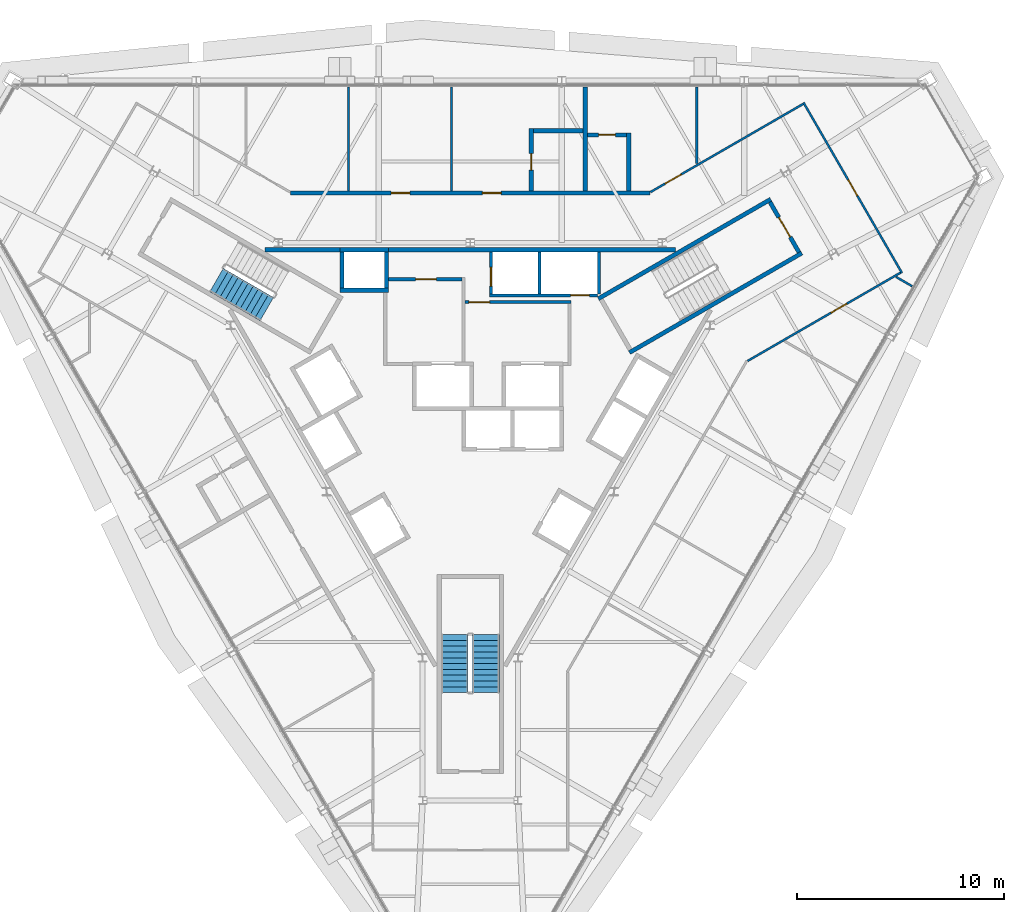
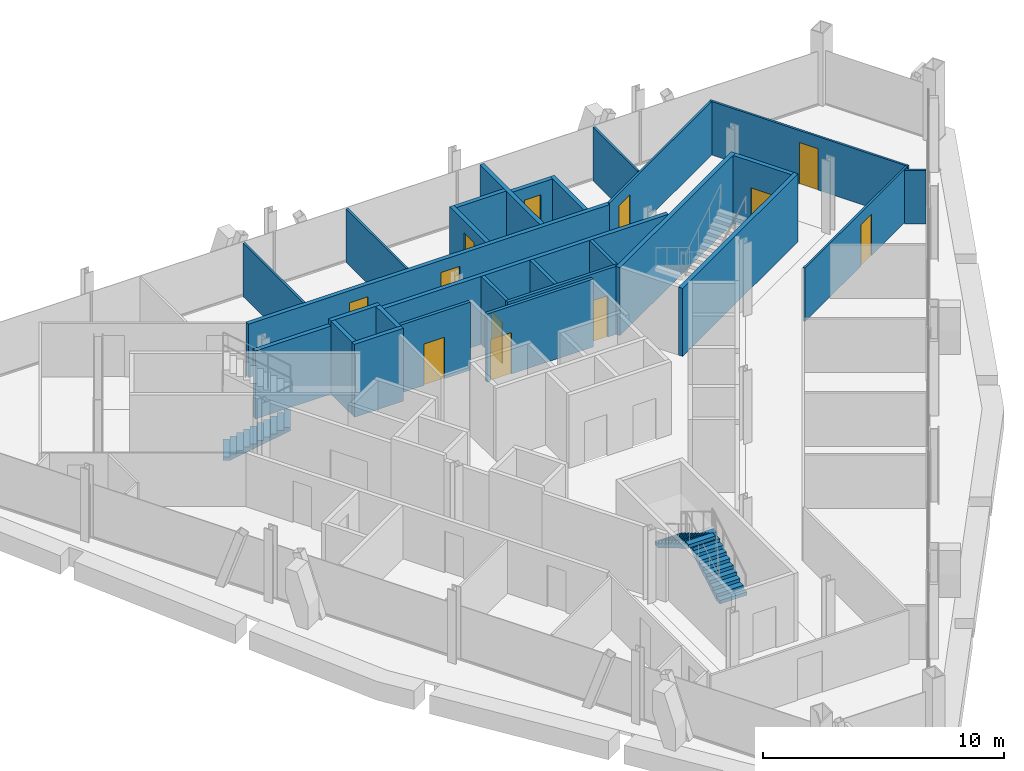
# One storey, part 11 of 14: 28 walls, 12 doors, 3 stair flights, 12 openings, 2 elements without a shape of their own.
"""IFC4 building model written with IfcOpenShell, lengths in metres."""

import ifcopenshell
import ifcopenshell.guid

model = None  # the IFC model being written
_history = None  # IfcOwnerHistory: only IFC2X3 demands one
_inside = {}  # id of a spatial element -> (the spatial element, [elements in it])
_under = {}  # id of a project, library or spatial element -> (it, [spatial elements below it])
_declared = {}  # id of a project -> (the project, [libraries it declares])
_typed = {}  # id of a type object -> (the type object, [elements of that type])
_made_of = {}  # id of a material, layer set ... -> (it, [elements and type objects made of it])


def new_model(schema):
    """Start an empty IFC model of exactly this schema.

    Asked for "IFC4X3", IfcOpenShell would pick the latest addendum, in which some entities
    have other attributes; the version numbers below select the first issue.
    IFC2X3 requires an IfcOwnerHistory on every rooted entity: one is made here for all.
    """
    global model, _history
    if schema == "IFC4X3":
        model = ifcopenshell.file(schema_version=(4, 3, 0, 0))
    else:
        model = ifcopenshell.file(schema=schema)
    _inside.clear()
    _under.clear()
    _declared.clear()
    _typed.clear()
    _made_of.clear()
    _history = None
    if model.schema == "IFC2X3":
        org = make("IfcOrganization", Name="unknown")
        user = make(
            "IfcPersonAndOrganization",
            ThePerson=make("IfcPerson", FamilyName="unknown"),
            TheOrganization=org,
        )
        app = make(
            "IfcApplication",
            ApplicationDeveloper=org,
            Version="unknown",
            ApplicationFullName="unknown",
            ApplicationIdentifier="unknown",
        )
        _history = make(
            "IfcOwnerHistory",
            OwningUser=user,
            OwningApplication=app,
            ChangeAction="ADDED",
            CreationDate=0,
        )
    return model


def make(cls, **values):
    """One entity of the class cls with the attributes given. An attribute that is None is left unset."""
    return model.create_entity(
        cls, **{name: value for name, value in values.items() if value is not None}
    )


def rooted(cls, **values):
    """An entity with a GlobalId (a new one), such as an element, a storey or a relation."""
    return make(cls, GlobalId=ifcopenshell.guid.new(), OwnerHistory=_history, **values)


def si_unit(unit_type, name, prefix=None):
    """IfcSIUnit, for example si_unit("LENGTHUNIT", "METRE", prefix="MILLI")."""
    return make("IfcSIUnit", UnitType=unit_type, Prefix=prefix, Name=name)


def assignment(units):
    """IfcUnitAssignment: the units of a project."""
    return None if units is None else make("IfcUnitAssignment", Units=units)


def point(xyz):
    """IfcCartesianPoint."""
    return None if xyz is None else make("IfcCartesianPoint", Coordinates=xyz)


def direction(xyz):
    """IfcDirection."""
    return None if xyz is None else make("IfcDirection", DirectionRatios=xyz)


def frame(location, z_axis=None, x_axis=None):
    """IfcAxis2Placement3D, a coordinate frame: its origin and axes. An axis left out is left unset."""
    return make(
        "IfcAxis2Placement3D",
        Location=point(location),
        Axis=direction(z_axis),
        RefDirection=direction(x_axis),
    )


def frame_2d(location, x_axis=None):
    """IfcAxis2Placement2D, a coordinate frame in the plane: its origin and x axis."""
    return make(
        "IfcAxis2Placement2D", Location=point(location), RefDirection=direction(x_axis)
    )


def origin():
    """The frame at (0, 0, 0) with its axes left unset."""
    return frame((0.0, 0.0, 0.0))


def place(relative_to, where):
    """IfcLocalPlacement: puts the frame where relative to a parent placement (None: the world)."""
    return make(
        "IfcLocalPlacement", PlacementRelTo=relative_to, RelativePlacement=where
    )


def context(
    kind, dimensions, precision=None, world=None, true_north=None, identifier=None
):
    """IfcGeometricRepresentationContext, for example the 3D "Model" context."""
    return make(
        "IfcGeometricRepresentationContext",
        ContextIdentifier=identifier,
        ContextType=kind,
        CoordinateSpaceDimension=dimensions,
        Precision=precision,
        WorldCoordinateSystem=world,
        TrueNorth=true_north,
    )


def subcontext(parent, identifier, kind, view, scale=None):
    """IfcGeometricRepresentationSubContext, for example "Body" below "Model"."""
    return make(
        "IfcGeometricRepresentationSubContext",
        ContextIdentifier=identifier,
        ContextType=kind,
        ParentContext=parent,
        TargetScale=scale,
        TargetView=view,
    )


def project(units=None, contexts=None):
    """IfcProject with its units and contexts."""
    return rooted(
        "IfcProject",
        Name="project",
        RepresentationContexts=contexts,
        UnitsInContext=assignment(units),
    )


def spatial(cls, under=None, at=None, **own):
    """A site, building, storey or space (cls), placed at a placement, below another one or the project."""
    s = rooted(cls, ObjectPlacement=at, **own)
    if under is not None:
        _under.setdefault(under.id(), (under, []))[1].append(s)
    return s


def polyline(points):
    """IfcPolyline through the points."""
    return make("IfcPolyline", Points=[point(p) for p in points])


def profile(cls, at=None, kind="AREA", **sizes):
    """A parametric profile (cls). Its sizes go by their IFC names, for example OverallWidth=200.0."""
    return make(cls, ProfileType=kind, Position=at, **sizes)


def rectangle(**sizes):
    """IfcRectangleProfileDef."""
    return profile("IfcRectangleProfileDef", **sizes)


def outline(outer, holes=None, kind="AREA"):
    """IfcArbitraryClosedProfileDef: a profile drawn as a closed curve; with holes, ...WithVoids."""
    if holes is None:
        return make("IfcArbitraryClosedProfileDef", ProfileType=kind, OuterCurve=outer)
    return make(
        "IfcArbitraryProfileDefWithVoids",
        ProfileType=kind,
        OuterCurve=outer,
        InnerCurves=holes,
    )


def extrude(swept, where, along, depth):
    """IfcExtrudedAreaSolid: the profile swept, set in the frame where, extruded along a direction by depth."""
    return make(
        "IfcExtrudedAreaSolid",
        SweptArea=swept,
        Position=where,
        ExtrudedDirection=direction(along),
        Depth=depth,
    )


def shape(context_of_items, identifier, shape_type, items):
    """IfcShapeRepresentation: the items that make up one representation, for example the "Body"."""
    return make(
        "IfcShapeRepresentation",
        ContextOfItems=context_of_items,
        RepresentationIdentifier=identifier,
        RepresentationType=shape_type,
        Items=items,
    )


def material(Name=None, Category=None):
    """IfcMaterial."""
    return make("IfcMaterial", Name=Name, Category=Category)


def layer(
    of_material, thickness, ventilated=None, Name=None, Category=None, Priority=None
):
    """IfcMaterialLayer: one layer of a wall or slab, of a material (None: an air gap)."""
    return make(
        "IfcMaterialLayer",
        Material=of_material,
        LayerThickness=thickness,
        IsVentilated=ventilated,
        Name=Name,
        Category=Category,
        Priority=Priority,
    )


def layer_set(layers, Name=None):
    """IfcMaterialLayerSet."""
    return make("IfcMaterialLayerSet", MaterialLayers=layers, LayerSetName=Name)


def made_of(thing, what):
    """Note that an element or type object is made of a material, layer set ...; save() writes the relation."""
    if what is not None:
        _made_of.setdefault(what.id(), (what, []))[1].append(thing)
    return thing


def type_object(cls, material=None, **own):
    """A type object (cls), such as IfcWallType, which elements share."""
    return made_of(rooted(cls, **own), material)


def element(
    cls,
    number,
    at=None,
    inside=None,
    cuts=None,
    type_object=None,
    material=None,
    context=None,
    identifier="Body",
    shape_type=None,
    held_by="IfcProductDefinitionShape",
    body=None,
    shapes=None,
    **own,
):
    """One element of the class cls, such as IfcWall. Its Tag is "e" and its number.

    at: its placement. inside: the storey or other place that contains it. cuts: it is an
    opening in that element (IfcRelVoidsElement). A single representation is given by context,
    identifier, shape_type and body (its items); several are given by shapes. held_by: the class
    of the entity that holds the representations. save() writes the other relations.
    """
    e = rooted(cls, Tag="e%d" % number, ObjectPlacement=at, **own)
    if body is not None:
        shapes = [shape(context, identifier, shape_type, body)]
    if shapes is not None:
        e.Representation = make(held_by, Representations=shapes)
    if inside is not None:
        _inside.setdefault(inside.id(), (inside, []))[1].append(e)
    if cuts is not None:
        rooted(
            "IfcRelVoidsElement", RelatingBuildingElement=cuts, RelatedOpeningElement=e
        )
    if type_object is not None:
        _typed.setdefault(type_object.id(), (type_object, []))[1].append(e)
    return made_of(e, material)


def fill(opening, filler):
    """IfcRelFillsElement: the door or window that sits in an opening."""
    return rooted(
        "IfcRelFillsElement",
        RelatingOpeningElement=opening,
        RelatedBuildingElement=filler,
    )


def aggregate(whole, parts):
    """IfcRelAggregates: a whole, such as a stair, and the parts it consists of."""
    return rooted("IfcRelAggregates", RelatingObject=whole, RelatedObjects=parts)


def save(model, path):
    """Write the relations noted so far, then the file.

    IfcRelAggregates (storeys below a building ...), IfcRelContainedInSpatialStructure (elements
    in a storey), IfcRelDefinesByType, IfcRelAssociatesMaterial and IfcRelDeclares: one each for
    every whole, place, type object, material and project.
    """
    for whole, parts in _under.values():
        aggregate(whole, parts)
    for where, things in _inside.values():
        rooted(
            "IfcRelContainedInSpatialStructure",
            RelatedElements=things,
            RelatingStructure=where,
        )
    for kind, things in _typed.values():
        rooted("IfcRelDefinesByType", RelatedObjects=things, RelatingType=kind)
    for what, things in _made_of.values():
        rooted("IfcRelAssociatesMaterial", RelatedObjects=things, RelatingMaterial=what)
    for by, libraries in _declared.values():
        rooted("IfcRelDeclares", RelatingContext=by, RelatedDefinitions=libraries)
    model.write(path)


model = new_model("IFC4")

# Units and contexts
model_context = context("Model", 3, precision=1e-05, world=origin(), true_north=direction((0.0, 1.0)))
body_context = subcontext(model_context, "Body", "Model", "MODEL_VIEW")
ifc_project = project(units=[si_unit("LENGTHUNIT", "METRE"), si_unit("AREAUNIT", "SQUARE_METRE"), si_unit("VOLUMEUNIT", "CUBIC_METRE"), si_unit("PLANEANGLEUNIT", "RADIAN"), si_unit("MASSUNIT", "GRAM", prefix="KILO")], contexts=[model_context])

# Site, building, storey
site_placement = place(None, origin())
site = spatial("IfcSite", under=ifc_project, at=site_placement, CompositionType="ELEMENT")
building_placement = place(site_placement, origin())
building = spatial("IfcBuilding", under=site, at=building_placement, Name="Verrane Prism Tower", CompositionType="ELEMENT")
storey_placement = place(building_placement, frame((0.0, 0.0, 224.89990234375)))
storey = spatial("IfcBuildingStorey", under=building, at=storey_placement, Name="L56", CompositionType="ELEMENT", Elevation=224.89990234375)

# Walls
ifc_material_1 = material(Name="Gypsum board partition", Category="other")
ifc_layer_1 = layer(ifc_material_1, 0.199951171875)
ifc_layer_set_1 = layer_set([ifc_layer_1], Name="CW-200 core boundary wall 2 h")
wall_type_1 = type_object("IfcWallType", Name="CW-200 core boundary wall 2 h", PredefinedType="PARTITIONING", material=ifc_layer_set_1)
wall_1_placement = place(storey_placement, frame((-9.907958984375, 7.659912109375, 0.0), z_axis=(0.0, 0.0, 1.0), x_axis=(1.0, 0.0, 0.0)))
element("IfcWall", 1, at=wall_1_placement, inside=storey, type_object=wall_type_1, Name="Core boundary wall CW3-002", PredefinedType="PARTITIONING", context=body_context, shape_type="SweptSolid", body=[
    extrude(rectangle(XDim=3.620849609375, YDim=0.199951171875, at=frame_2d((1.810546875, 0.0))), origin(), (0.0, 0.0, 1.0), 3.4501953125),
])
wall_2_placement = place(storey_placement, frame((-3.93310546875, 7.659912109375, 0.0), z_axis=(0.0, 0.0, 1.0), x_axis=(1.0, 0.0, 0.0)))
element("IfcWall", 2, at=wall_2_placement, inside=storey, type_object=wall_type_1, Name="Core boundary wall CW3-005", PredefinedType="PARTITIONING", context=body_context, shape_type="SweptSolid", body=[
    extrude(rectangle(XDim=13.841064453125, YDim=0.199951171875, at=frame_2d((6.92041015625, 0.0))), origin(), (0.0, 0.0, 1.0), 3.4501953125),
])

# Wall, opening, door
ifc_material_2 = material(Name="Concrete C40/50", Category="concrete")
ifc_layer_2 = layer(ifc_material_2, 0.199951171875)
ifc_layer_set_2 = layer_set([ifc_layer_2], Name="CW-200 stair core wall concrete C40/50 3 h")
wall_type_2 = type_object("IfcWallType", Name="CW-200 stair core wall concrete C40/50 3 h", PredefinedType="PARTITIONING", material=ifc_layer_set_2)
wall_3_placement = place(storey_placement, frame((15.85546875, 7.53759765625, 0.0), z_axis=(0.0, 0.0, 1.0), x_axis=(-0.500049511043, 0.865996816683, 0.0)))
wall_3 = element("IfcWall", 3, at=wall_3_placement, inside=storey, type_object=wall_type_2, Name="Stair 1 enclosure wall", PredefinedType="PARTITIONING", context=body_context, shape_type="SweptSolid", body=[
    extrude(rectangle(XDim=2.800048828125, YDim=0.199951171875, at=frame_2d((1.39990234375, 0.0))), origin(), (0.0, 0.0, 1.0), 3.4501953125),
])
opening_1_placement = place(wall_3_placement, frame((0.849853515625, 0.0, 0.0)))
opening_1 = element("IfcOpeningElement", 4, at=opening_1_placement, cuts=wall_3, Name="Opening D54500", PredefinedType="OPENING", context=body_context, shape_type="SweptSolid", body=[
    extrude(rectangle(XDim=1.10009765625, YDim=2.10009765625, at=frame_2d((0.550048828125, 1.050048828125))), frame((0.0, 0.10986328125, 0.0), z_axis=(0.0, -1.0, 0.0), x_axis=(1.0, 0.0, 0.0)), (0.0, 0.0, 1.0), 0.219970703125),
])
ifc_material_3 = material(Name="Timber veneered door leaf", Category="wood")
door_type_1 = type_object("IfcDoorType", Name="DR-1100x2100 FD90 single leaf stair", OperationType="NOTDEFINED", PredefinedType="DOOR", material=ifc_material_3)
door_1_placement = place(opening_1_placement, origin())
door_1 = element("IfcDoor", 5, at=door_1_placement, inside=storey, type_object=door_type_1, Name="Stair 1 door", OperationType="SINGLE_SWING_LEFT", OverallHeight=2.10009765625, OverallWidth=1.10009765625, PredefinedType="DOOR", context=body_context, shape_type="SweptSolid", body=[
    extrude(rectangle(XDim=1.10009765625, YDim=2.10009765625, at=frame_2d((0.550048828125, 1.050048828125))), frame((0.0, 0.02490234375, 0.0), z_axis=(0.0, -1.0, 0.0), x_axis=(1.0, 0.0, 0.0)), (0.0, 0.0, 1.0), 0.050048828125),
])
fill(opening_1, door_1)

# Walls
for number, where, z_axis, x_axis, name in (
    (6, (6.17822265625, 5.299072265625, 0.0), (0.0, 0.0, 1.0), (0.866019993635, 0.500009370536, 0.0), "Stair 1 enclosure wall"),
    (7, (7.67822265625, 2.700927734375, 0.0), (0.0, 0.0, 1.0), (0.866019993635, 0.500009370536, 0.0), "Stair 1 enclosure wall"),
):
    element("IfcWall", number, at=place(storey_placement, frame(where, z_axis=z_axis, x_axis=x_axis)), inside=storey, type_object=wall_type_2, Name=name, PredefinedType="PARTITIONING", context=body_context, shape_type="SweptSolid", body=[
        extrude(rectangle(XDim=9.599853515625, YDim=0.199951171875, at=frame_2d((4.7998046875, 0.0))), origin(), (0.0, 0.0, 1.0), 3.4501953125),
    ])
ifc_material_4 = material(Name="Gypsum board shaft wall assembly", Category="other")
ifc_layer_3 = layer(ifc_material_4, 0.199951171875)
ifc_layer_set_3 = layer_set([ifc_layer_3], Name="HW-200 lift shaft wall 2 h")
wall_type_3 = type_object("IfcWallType", Name="HW-200 lift shaft wall 2 h", PredefinedType="PARTITIONING", material=ifc_layer_set_3)
for number, where, z_axis, x_axis, name in (
    (8, (-6.284912109375, 5.7099609375, 0.0), (0.0, 0.0, 1.0), (1.0, 0.0, 0.0), "Lift shaft wall"),
    (9, (-6.284912109375, 7.659912109375, 0.0), (0.0, 0.0, 1.0), (1.0, 0.0, 0.0), "Lift shaft wall"),
):
    element("IfcWall", number, at=place(storey_placement, frame(where, z_axis=z_axis, x_axis=x_axis)), inside=storey, type_object=wall_type_3, Name=name, PredefinedType="PARTITIONING", context=body_context, shape_type="SweptSolid", body=[
        extrude(rectangle(XDim=2.349853515625, YDim=0.199951171875, at=frame_2d((1.1748046875, 0.0))), origin(), (0.0, 0.0, 1.0), 3.7001953125),
    ])
for number, where, z_axis, x_axis, name in (
    (10, (-4.034912109375, 5.81005859375, 0.0), (0.0, 0.0, 1.0), (0.0, 1.0, 0.0), "Lift shaft wall"),
    (11, (-6.18505859375, 5.81005859375, 0.0), (0.0, 0.0, 1.0), (0.0, 1.0, 0.0), "Lift shaft wall"),
):
    element("IfcWall", number, at=place(storey_placement, frame(where, z_axis=z_axis, x_axis=x_axis)), inside=storey, type_object=wall_type_3, Name=name, PredefinedType="PARTITIONING", context=body_context, shape_type="SweptSolid", body=[
        extrude(rectangle(XDim=1.75, YDim=0.199951171875, at=frame_2d((0.875, 0.0))), origin(), (0.0, 0.0, 1.0), 3.7001953125),
    ])

# Wall, opening, door
ifc_material_5 = material(Name="Gypsum board partition", Category="other")
ifc_layer_4 = layer(ifc_material_5, 0.14990234375)
ifc_layer_set_4 = layer_set([ifc_layer_4], Name="LF-150 firefighting lobby wall 1 h")
wall_type_4 = type_object("IfcWallType", Name="LF-150 firefighting lobby wall 1 h", PredefinedType="PARTITIONING", material=ifc_layer_set_4)
wall_4_placement = place(storey_placement, frame((-3.93310546875, 6.239990234375, 0.0), z_axis=(0.0, 0.0, 1.0), x_axis=(1.0, 0.0, 0.0)))
wall_4 = element("IfcWall", 12, at=wall_4_placement, inside=storey, type_object=wall_type_4, Name="Firefighting lobby wall LF1-003", PredefinedType="PARTITIONING", context=body_context, shape_type="SweptSolid", body=[
    extrude(rectangle(XDim=3.5380859375, YDim=0.14990234375, at=frame_2d((1.76904296875, 0.0))), origin(), (0.0, 0.0, 1.0), 3.4501953125),
])
opening_2_placement = place(wall_4_placement, frame((1.300048828125, 0.0, 0.0)))
opening_2 = element("IfcOpeningElement", 13, at=opening_2_placement, cuts=wall_4, Name="Opening D54511", PredefinedType="OPENING", context=body_context, shape_type="SweptSolid", body=[
    extrude(rectangle(XDim=1.0, YDim=2.10009765625, at=frame_2d((0.5, 1.050048828125))), frame((0.0, 0.0849609375, 0.0), z_axis=(0.0, -1.0, 0.0), x_axis=(1.0, 0.0, 0.0)), (0.0, 0.0, 1.0), 0.169921875),
])
ifc_material_6 = material(Name="Timber veneered door leaf", Category="wood")
door_type_2 = type_object("IfcDoorType", Name="DR-1000x2100 FD60 single leaf firefighting lobby", OperationType="NOTDEFINED", PredefinedType="DOOR", material=ifc_material_6)
door_2_placement = place(opening_2_placement, origin())
door_2 = element("IfcDoor", 14, at=door_2_placement, inside=storey, type_object=door_type_2, Name="Firefighting lobby door D54511", OperationType="SINGLE_SWING_LEFT", OverallHeight=2.10009765625, OverallWidth=1.0, PredefinedType="DOOR", context=body_context, shape_type="SweptSolid", body=[
    extrude(rectangle(XDim=1.0, YDim=2.10009765625, at=frame_2d((0.5, 1.050048828125))), frame((0.0, 0.02490234375, 0.0), z_axis=(0.0, -1.0, 0.0), x_axis=(1.0, 0.0, 0.0)), (0.0, 0.0, 1.0), 0.050048828125),
])
fill(opening_2, door_2)

wall_5_placement = place(storey_placement, frame((-0.2451171875, 5.139892578125, 0.0), z_axis=(0.0, 0.0, 1.0), x_axis=(1.0, 0.0, 0.0)))
wall_5 = element("IfcWall", 15, at=wall_5_placement, inside=storey, type_object=wall_type_4, Name="Firefighting lobby wall LF1-005", PredefinedType="PARTITIONING", context=body_context, shape_type="SweptSolid", body=[
    extrude(rectangle(XDim=5.110107421875, YDim=0.14990234375, at=frame_2d((2.55517578125, 0.0))), origin(), (0.0, 0.0, 1.0), 3.4501953125),
])
opening_3_placement = place(wall_5_placement, frame((0.175048828125, 0.0, 0.0)))
opening_3 = element("IfcOpeningElement", 16, at=opening_3_placement, cuts=wall_5, Name="Opening D54512", PredefinedType="OPENING", context=body_context, shape_type="SweptSolid", body=[
    extrude(rectangle(XDim=1.0, YDim=2.10009765625, at=frame_2d((0.5, 1.050048828125))), frame((0.0, 0.0849609375, 0.0), z_axis=(0.0, -1.0, 0.0), x_axis=(1.0, 0.0, 0.0)), (0.0, 0.0, 1.0), 0.169921875),
])
door_3_placement = place(opening_3_placement, origin())
door_3 = element("IfcDoor", 17, at=door_3_placement, inside=storey, type_object=door_type_2, Name="Firefighting lobby door D54512", OperationType="SINGLE_SWING_LEFT", OverallHeight=2.10009765625, OverallWidth=1.0, PredefinedType="DOOR", context=body_context, shape_type="SweptSolid", body=[
    extrude(rectangle(XDim=1.0, YDim=2.10009765625, at=frame_2d((0.5, 1.050048828125))), frame((0.0, 0.02490234375, 0.0), z_axis=(0.0, -1.0, 0.0), x_axis=(1.0, 0.0, 0.0)), (0.0, 0.0, 1.0), 0.050048828125),
])
fill(opening_3, door_3)

# Walls
ifc_material_7 = material(Name="Gypsum board partition", Category="other")
ifc_layer_5 = layer(ifc_material_7, 0.10009765625)
ifc_layer_set_5 = layer_set([ifc_layer_5], Name="PW-100 room partition")
wall_type_5 = type_object("IfcWallType", Name="PW-100 room partition", PredefinedType="PARTITIONING", material=ifc_layer_set_5)
for number, where, z_axis, x_axis, name in (
    (18, (-5.865966796875, 10.5, 0.0), (0.0, 0.0, 1.0), (0.0, 1.0, 0.0), "Room partition 016"),
    (19, (-0.9150390625, 10.5, 0.0), (0.0, 0.0, 1.0), (0.0, 1.0, 0.0), "Room partition 022"),
):
    element("IfcWall", number, at=place(storey_placement, frame(where, z_axis=z_axis, x_axis=x_axis)), inside=storey, type_object=wall_type_5, Name=name, PredefinedType="PARTITIONING", context=body_context, shape_type="SweptSolid", body=[
        extrude(rectangle(XDim=5.006103515625, YDim=0.10009765625, at=frame_2d((2.5029296875, 0.0))), origin(), (0.0, 0.0, 1.0), 2.713134765625),
    ])

# Wall, opening, door
wall_6_placement = place(storey_placement, frame((8.690673828125, 10.4423828125, 0.0), z_axis=(0.0, 0.0, 1.0), x_axis=(0.866070360466, 0.499922124658, 0.0)))
wall_6 = element("IfcWall", 20, at=wall_6_placement, inside=storey, type_object=wall_type_5, Name="Room partition 032", PredefinedType="PARTITIONING", context=body_context, shape_type="SweptSolid", body=[
    extrude(rectangle(XDim=8.502685546875, YDim=0.10009765625, at=frame_2d((4.25146484375, 0.0))), origin(), (0.0, 0.0, 1.0), 2.713134765625),
])
opening_4_placement = place(wall_6_placement, frame((0.81494140625, 0.0, 0.0)))
opening_4 = element("IfcOpeningElement", 21, at=opening_4_placement, cuts=wall_6, Name="Opening D54007", PredefinedType="OPENING", context=body_context, shape_type="SweptSolid", body=[
    extrude(rectangle(XDim=0.89990234375, YDim=2.10009765625, at=frame_2d((0.449951171875, 1.050048828125))), frame((0.0, 0.06005859375, 0.0), z_axis=(0.0, -1.0, 0.0), x_axis=(1.0, 0.0, 0.0)), (0.0, 0.0, 1.0), 0.1201171875),
])
ifc_material_8 = material(Name="Timber veneered door leaf", Category="wood")
door_type_3 = type_object("IfcDoorType", Name="DR-900x2100 single leaf inner", OperationType="NOTDEFINED", PredefinedType="DOOR", material=ifc_material_8)
door_4_placement = place(opening_4_placement, origin())
door_4 = element("IfcDoor", 22, at=door_4_placement, inside=storey, type_object=door_type_3, Name="Bedroom door", OperationType="SINGLE_SWING_LEFT", OverallHeight=2.10009765625, OverallWidth=0.89990234375, PredefinedType="DOOR", context=body_context, shape_type="SweptSolid", body=[
    extrude(rectangle(XDim=0.89990234375, YDim=2.10009765625, at=frame_2d((0.449951171875, 1.050048828125))), frame((0.0, 0.02490234375, 0.0), z_axis=(0.0, -1.0, 0.0), x_axis=(1.0, 0.0, 0.0)), (0.0, 0.0, 1.0), 0.050048828125),
])
fill(opening_4, door_4)

# Wall
wall_7_placement = place(storey_placement, frame((10.925048828125, 11.818603515625, 0.0), z_axis=(0.0, 0.0, 1.0), x_axis=(0.0, 1.0, 0.0)))
element("IfcWall", 23, at=wall_7_placement, inside=storey, type_object=wall_type_5, Name="Room partition 034", PredefinedType="PARTITIONING", context=body_context, shape_type="SweptSolid", body=[
    extrude(rectangle(XDim=3.6875, YDim=0.10009765625, at=frame_2d((1.84375, 0.0))), origin(), (0.0, 0.0, 1.0), 2.713134765625),
])

# Wall, opening, door
wall_8_placement = place(storey_placement, frame((20.755615234375, 6.556884765625, 0.0), z_axis=(0.0, 0.0, 1.0), x_axis=(-0.866069146081, -0.499924228466, 0.0)))
wall_8 = element("IfcWall", 24, at=wall_8_placement, inside=storey, type_object=wall_type_5, Name="Room partition 036", PredefinedType="PARTITIONING", context=body_context, shape_type="SweptSolid", body=[
    extrude(rectangle(XDim=8.518798828125, YDim=0.10009765625, at=frame_2d((4.25927734375, 0.0))), origin(), (0.0, 0.0, 1.0), 2.713134765625),
])
opening_5_placement = place(wall_8_placement, frame((2.986083984375, 0.0, 0.0)))
opening_5 = element("IfcOpeningElement", 25, at=opening_5_placement, cuts=wall_8, Name="Opening D54005", PredefinedType="OPENING", context=body_context, shape_type="SweptSolid", body=[
    extrude(rectangle(XDim=0.89990234375, YDim=2.10009765625, at=frame_2d((0.449951171875, 1.050048828125))), frame((0.0, 0.06005859375, 0.0), z_axis=(0.0, -1.0, 0.0), x_axis=(1.0, 0.0, 0.0)), (0.0, 0.0, 1.0), 0.1201171875),
])
ifc_material_9 = material(Name="Timber veneered door leaf", Category="wood")
door_type_4 = type_object("IfcDoorType", Name="DR-900x2100 single leaf unit", OperationType="NOTDEFINED", PredefinedType="DOOR", material=ifc_material_9)
door_5_placement = place(opening_5_placement, origin())
door_5 = element("IfcDoor", 26, at=door_5_placement, inside=storey, type_object=door_type_4, Name="Study door", OperationType="SINGLE_SWING_RIGHT", OverallHeight=2.10009765625, OverallWidth=0.89990234375, PredefinedType="DOOR", context=body_context, shape_type="SweptSolid", body=[
    extrude(rectangle(XDim=0.89990234375, YDim=2.10009765625, at=frame_2d((0.449951171875, 1.050048828125))), frame((0.0, 0.02490234375, 0.0), z_axis=(0.0, -1.0, 0.0), x_axis=(1.0, 0.0, 0.0)), (0.0, 0.0, 1.0), 0.050048828125),
])
fill(opening_5, door_5)

wall_9_placement = place(storey_placement, frame((16.072998046875, 14.76123046875, 0.0), z_axis=(0.0, 0.0, 1.0), x_axis=(0.500297300687, -0.865853689098, 0.0)))
wall_9 = element("IfcWall", 27, at=wall_9_placement, inside=storey, type_object=wall_type_5, Name="Room partition 038", PredefinedType="PARTITIONING", context=body_context, shape_type="SweptSolid", body=[
    extrude(rectangle(XDim=9.496337890625, YDim=0.10009765625, at=frame_2d((4.748046875, 0.0))), origin(), (0.0, 0.0, 1.0), 2.713134765625),
])
opening_6_placement = place(wall_9_placement, frame((4.300048828125, 0.0, 0.0)))
opening_6 = element("IfcOpeningElement", 28, at=opening_6_placement, cuts=wall_9, Name="Opening D54006", PredefinedType="OPENING", context=body_context, shape_type="SweptSolid", body=[
    extrude(rectangle(XDim=0.89990234375, YDim=2.10009765625, at=frame_2d((0.449951171875, 1.050048828125))), frame((0.0, 0.06005859375, 0.0), z_axis=(0.0, -1.0, 0.0), x_axis=(1.0, 0.0, 0.0)), (0.0, 0.0, 1.0), 0.1201171875),
])
door_6_placement = place(opening_6_placement, origin())
door_6 = element("IfcDoor", 29, at=door_6_placement, inside=storey, type_object=door_type_4, Name="Kitchen door", OperationType="SINGLE_SWING_RIGHT", OverallHeight=2.10009765625, OverallWidth=0.89990234375, PredefinedType="DOOR", context=body_context, shape_type="SweptSolid", body=[
    extrude(rectangle(XDim=0.89990234375, YDim=2.10009765625, at=frame_2d((0.449951171875, 1.050048828125))), frame((0.0, 0.02490234375, 0.0), z_axis=(0.0, -1.0, 0.0), x_axis=(1.0, 0.0, 0.0)), (0.0, 0.0, 1.0), 0.050048828125),
])
fill(opening_6, door_6)

# Wall
wall_10_placement = place(storey_placement, frame((20.54296875, 6.34765625, 0.0), z_axis=(0.0, 0.0, 1.0), x_axis=(0.865952303503, -0.500126592033, 0.0)))
element("IfcWall", 30, at=wall_10_placement, inside=storey, type_object=wall_type_5, Name="Room partition 039", PredefinedType="PARTITIONING", context=body_context, shape_type="SweptSolid", body=[
    extrude(rectangle(XDim=0.888916015625, YDim=0.10009765625, at=frame_2d((0.4443359375, 0.0))), origin(), (0.0, 0.0, 1.0), 2.713134765625),
])

# Wall, openings, doors
ifc_material_10 = material(Name="Gypsum board partition", Category="other")
ifc_layer_6 = layer(ifc_material_10, 0.199951171875)
ifc_layer_set_6 = layer_set([ifc_layer_6], Name="PW-200 plumbing wall")
wall_type_6 = type_object("IfcWallType", Name="PW-200 plumbing wall", PredefinedType="PARTITIONING", material=ifc_layer_set_6)
wall_11_placement = place(storey_placement, frame((-8.6669921875, 10.39990234375, 0.0), z_axis=(0.0, 0.0, 1.0), x_axis=(1.0, 0.0, 0.0)))
wall_11 = element("IfcWall", 31, at=wall_11_placement, inside=storey, type_object=wall_type_6, Name="Plumbing wall 014", PredefinedType="PARTITIONING", context=body_context, shape_type="SweptSolid", body=[
    extrude(rectangle(XDim=17.333984375, YDim=0.199951171875, at=frame_2d((8.6669921875, 0.0))), origin(), (0.0, 0.0, 1.0), 2.713134765625),
])
opening_7_placement = place(wall_11_placement, frame((9.251953125, 0.0, 0.0)))
opening_7 = element("IfcOpeningElement", 32, at=opening_7_placement, cuts=wall_11, Name="Opening D54009", PredefinedType="OPENING", context=body_context, shape_type="SweptSolid", body=[
    extrude(rectangle(XDim=0.89990234375, YDim=2.10009765625, at=frame_2d((0.449951171875, 1.050048828125))), frame((0.0, 0.10986328125, 0.0), z_axis=(0.0, -1.0, 0.0), x_axis=(1.0, 0.0, 0.0)), (0.0, 0.0, 1.0), 0.219970703125),
])
opening_8_placement = place(wall_11_placement, frame((4.85107421875, 0.0, 0.0)))
opening_8 = element("IfcOpeningElement", 33, at=opening_8_placement, cuts=wall_11, Name="Opening D54011", PredefinedType="OPENING", context=body_context, shape_type="SweptSolid", body=[
    extrude(rectangle(XDim=0.89990234375, YDim=2.10009765625, at=frame_2d((0.449951171875, 1.050048828125))), frame((0.0, 0.10986328125, 0.0), z_axis=(0.0, -1.0, 0.0), x_axis=(1.0, 0.0, 0.0)), (0.0, 0.0, 1.0), 0.219970703125),
])
door_7_placement = place(opening_7_placement, origin())
door_7 = element("IfcDoor", 34, at=door_7_placement, inside=storey, type_object=door_type_3, Name="Master Bedroom door", OperationType="SINGLE_SWING_LEFT", OverallHeight=2.10009765625, OverallWidth=0.89990234375, PredefinedType="DOOR", context=body_context, shape_type="SweptSolid", body=[
    extrude(rectangle(XDim=0.89990234375, YDim=2.10009765625, at=frame_2d((0.449951171875, 1.050048828125))), frame((0.0, 0.02490234375, 0.0), z_axis=(0.0, -1.0, 0.0), x_axis=(1.0, 0.0, 0.0)), (0.0, 0.0, 1.0), 0.050048828125),
])
fill(opening_7, door_7)
door_8_placement = place(opening_8_placement, origin())
door_8 = element("IfcDoor", 35, at=door_8_placement, inside=storey, type_object=door_type_4, Name="Utility Room door", OperationType="SINGLE_SWING_LEFT", OverallHeight=2.10009765625, OverallWidth=0.89990234375, PredefinedType="DOOR", context=body_context, shape_type="SweptSolid", body=[
    extrude(rectangle(XDim=0.89990234375, YDim=2.10009765625, at=frame_2d((0.449951171875, 1.050048828125))), frame((0.0, 0.02490234375, 0.0), z_axis=(0.0, -1.0, 0.0), x_axis=(1.0, 0.0, 0.0)), (0.0, 0.0, 1.0), 0.050048828125),
])
fill(opening_8, door_8)

# Wall, opening, door
wall_12_placement = place(storey_placement, frame((2.943115234375, 13.5, 0.0), z_axis=(0.0, 0.0, 1.0), x_axis=(0.0, -1.0, 0.0)))
wall_12 = element("IfcWall", 36, at=wall_12_placement, inside=storey, type_object=wall_type_6, Name="Plumbing wall 023", PredefinedType="PARTITIONING", context=body_context, shape_type="SweptSolid", body=[
    extrude(rectangle(XDim=3.0, YDim=0.199951171875, at=frame_2d((1.5, 0.0))), origin(), (0.0, 0.0, 1.0), 2.713134765625),
])
opening_9_placement = place(wall_12_placement, frame((1.199951171875, 0.0, 0.0)))
opening_9 = element("IfcOpeningElement", 37, at=opening_9_placement, cuts=wall_12, Name="Opening D54010", PredefinedType="OPENING", context=body_context, shape_type="SweptSolid", body=[
    extrude(rectangle(XDim=0.800048828125, YDim=2.10009765625, at=frame_2d((0.39990234375, 1.050048828125))), frame((0.0, 0.10986328125, 0.0), z_axis=(0.0, -1.0, 0.0), x_axis=(1.0, 0.0, 0.0)), (0.0, 0.0, 1.0), 0.219970703125),
])
ifc_material_11 = material(Name="Timber veneered door leaf", Category="wood")
door_type_5 = type_object("IfcDoorType", Name="DR-800x2100 single leaf bath", OperationType="NOTDEFINED", PredefinedType="DOOR", material=ifc_material_11)
door_9_placement = place(opening_9_placement, origin())
door_9 = element("IfcDoor", 38, at=door_9_placement, inside=storey, type_object=door_type_5, Name="Master Bathroom door", OperationType="SINGLE_SWING_LEFT", OverallHeight=2.10009765625, OverallWidth=0.800048828125, PredefinedType="DOOR", context=body_context, shape_type="SweptSolid", body=[
    extrude(rectangle(XDim=0.800048828125, YDim=2.10009765625, at=frame_2d((0.39990234375, 1.050048828125))), frame((0.0, 0.02490234375, 0.0), z_axis=(0.0, -1.0, 0.0), x_axis=(1.0, 0.0, 0.0)), (0.0, 0.0, 1.0), 0.050048828125),
])
fill(opening_9, door_9)

# Walls
wall_13_placement = place(storey_placement, frame((3.04296875, 13.39990234375, 0.0), z_axis=(0.0, 0.0, 1.0), x_axis=(1.0, 0.0, 0.0)))
element("IfcWall", 39, at=wall_13_placement, inside=storey, type_object=wall_type_6, Name="Plumbing wall 024", PredefinedType="PARTITIONING", context=body_context, shape_type="SweptSolid", body=[
    extrude(rectangle(XDim=2.400146484375, YDim=0.199951171875, at=frame_2d((1.2001953125, 0.0))), origin(), (0.0, 0.0, 1.0), 2.713134765625),
])
wall_14_placement = place(storey_placement, frame((5.54296875, 10.5, 0.0), z_axis=(0.0, 0.0, 1.0), x_axis=(0.0, 1.0, 0.0)))
element("IfcWall", 40, at=wall_14_placement, inside=storey, type_object=wall_type_6, Name="Plumbing wall 028", PredefinedType="PARTITIONING", context=body_context, shape_type="SweptSolid", body=[
    extrude(rectangle(XDim=5.006103515625, YDim=0.199951171875, at=frame_2d((2.5029296875, 0.0))), origin(), (0.0, 0.0, 1.0), 2.713134765625),
])

# Wall, opening, door
wall_15_placement = place(storey_placement, frame((7.54296875, 13.199951171875, 0.0), z_axis=(0.0, 0.0, 1.0), x_axis=(-1.0, 0.0, 0.0)))
wall_15 = element("IfcWall", 41, at=wall_15_placement, inside=storey, type_object=wall_type_6, Name="Plumbing wall 029", PredefinedType="PARTITIONING", context=body_context, shape_type="SweptSolid", body=[
    extrude(rectangle(XDim=1.89990234375, YDim=0.199951171875, at=frame_2d((0.949951171875, 0.0))), origin(), (0.0, 0.0, 1.0), 2.713134765625),
])
opening_10_placement = place(wall_15_placement, frame((0.550048828125, 0.0, 0.0)))
opening_10 = element("IfcOpeningElement", 42, at=opening_10_placement, cuts=wall_15, Name="Opening D54008", PredefinedType="OPENING", context=body_context, shape_type="SweptSolid", body=[
    extrude(rectangle(XDim=0.800048828125, YDim=2.10009765625, at=frame_2d((0.39990234375, 1.050048828125))), frame((0.0, 0.10986328125, 0.0), z_axis=(0.0, -1.0, 0.0), x_axis=(1.0, 0.0, 0.0)), (0.0, 0.0, 1.0), 0.219970703125),
])
door_10_placement = place(opening_10_placement, origin())
door_10 = element("IfcDoor", 43, at=door_10_placement, inside=storey, type_object=door_type_5, Name="Bathroom door", OperationType="SINGLE_SWING_LEFT", OverallHeight=2.10009765625, OverallWidth=0.800048828125, PredefinedType="DOOR", context=body_context, shape_type="SweptSolid", body=[
    extrude(rectangle(XDim=0.800048828125, YDim=2.10009765625, at=frame_2d((0.39990234375, 1.050048828125))), frame((0.0, 0.02490234375, 0.0), z_axis=(0.0, -1.0, 0.0), x_axis=(1.0, 0.0, 0.0)), (0.0, 0.0, 1.0), 0.050048828125),
])
fill(opening_10, door_10)

# Wall
wall_16_placement = place(storey_placement, frame((7.64306640625, 10.5, 0.0), z_axis=(0.0, 0.0, 1.0), x_axis=(0.0, 1.0, 0.0)))
element("IfcWall", 44, at=wall_16_placement, inside=storey, type_object=wall_type_6, Name="Plumbing wall 031", PredefinedType="PARTITIONING", context=body_context, shape_type="SweptSolid", body=[
    extrude(rectangle(XDim=2.800048828125, YDim=0.199951171875, at=frame_2d((1.39990234375, 0.0))), origin(), (0.0, 0.0, 1.0), 2.713134765625),
])

# Wall, opening, door
ifc_material_12 = material(Name="Gypsum board partition", Category="other")
ifc_layer_7 = layer(ifc_material_12, 0.14990234375)
ifc_layer_set_7 = layer_set([ifc_layer_7], Name="RS-150 riser enclosure wall 1 h")
wall_type_7 = type_object("IfcWallType", Name="RS-150 riser enclosure wall 1 h", PredefinedType="PARTITIONING", material=ifc_layer_set_7)
wall_17_placement = place(storey_placement, frame((1.0, 7.56005859375, 0.0), z_axis=(0.0, 0.0, 1.0), x_axis=(0.0, -1.0, 0.0)))
wall_17 = element("IfcWall", 45, at=wall_17_placement, inside=storey, type_object=wall_type_7, Name="Riser wall RS3-001", PredefinedType="PARTITIONING", context=body_context, shape_type="SweptSolid", body=[
    extrude(rectangle(XDim=2.025146484375, YDim=0.14990234375, at=frame_2d((1.0126953125, 0.0))), origin(), (0.0, 0.0, 1.0), 3.4501953125),
])
opening_11_placement = place(wall_17_placement, frame((0.75, 0.0, 0.0)))
opening_11 = element("IfcOpeningElement", 46, at=opening_11_placement, cuts=wall_17, Name="Opening D54513", PredefinedType="OPENING", context=body_context, shape_type="SweptSolid", body=[
    extrude(rectangle(XDim=0.89990234375, YDim=2.10009765625, at=frame_2d((0.449951171875, 1.050048828125))), frame((0.0, 0.0849609375, 0.0), z_axis=(0.0, -1.0, 0.0), x_axis=(1.0, 0.0, 0.0)), (0.0, 0.0, 1.0), 0.169921875),
])
ifc_material_13 = material(Name="Timber veneered door leaf", Category="wood")
door_type_6 = type_object("IfcDoorType", Name="DR-900x2100 FD60 single leaf riser", OperationType="NOTDEFINED", PredefinedType="DOOR", material=ifc_material_13)
door_11_placement = place(opening_11_placement, origin())
door_11 = element("IfcDoor", 47, at=door_11_placement, inside=storey, type_object=door_type_6, Name="Riser door D54513", OperationType="SINGLE_SWING_RIGHT", OverallHeight=2.10009765625, OverallWidth=0.89990234375, PredefinedType="DOOR", context=body_context, shape_type="SweptSolid", body=[
    extrude(rectangle(XDim=0.89990234375, YDim=2.10009765625, at=frame_2d((0.449951171875, 1.050048828125))), frame((0.0, 0.02490234375, 0.0), z_axis=(0.0, -1.0, 0.0), x_axis=(1.0, 0.0, 0.0)), (0.0, 0.0, 1.0), 0.050048828125),
])
fill(opening_11, door_11)

wall_18_placement = place(storey_placement, frame((0.925048828125, 5.4599609375, 0.0), z_axis=(0.0, 0.0, 1.0), x_axis=(1.0, 0.0, 0.0)))
wall_18 = element("IfcWall", 48, at=wall_18_placement, inside=storey, type_object=wall_type_7, Name="Riser wall RS3-002", PredefinedType="PARTITIONING", context=body_context, shape_type="SweptSolid", body=[
    extrude(rectangle(XDim=5.219970703125, YDim=0.14990234375, at=frame_2d((2.60986328125, 0.0))), origin(), (0.0, 0.0, 1.0), 3.4501953125),
])
opening_12_placement = place(wall_18_placement, frame((3.9150390625, 0.0, 0.0)))
opening_12 = element("IfcOpeningElement", 49, at=opening_12_placement, cuts=wall_18, Name="Opening D54514", PredefinedType="OPENING", context=body_context, shape_type="SweptSolid", body=[
    extrude(rectangle(XDim=0.89990234375, YDim=2.10009765625, at=frame_2d((0.449951171875, 1.050048828125))), frame((0.0, 0.0849609375, 0.0), z_axis=(0.0, -1.0, 0.0), x_axis=(1.0, 0.0, 0.0)), (0.0, 0.0, 1.0), 0.169921875),
])
door_12_placement = place(opening_12_placement, origin())
door_12 = element("IfcDoor", 50, at=door_12_placement, inside=storey, type_object=door_type_6, Name="Riser door D54514", OperationType="SINGLE_SWING_RIGHT", OverallHeight=2.10009765625, OverallWidth=0.89990234375, PredefinedType="DOOR", context=body_context, shape_type="SweptSolid", body=[
    extrude(rectangle(XDim=0.89990234375, YDim=2.10009765625, at=frame_2d((0.449951171875, 1.050048828125))), frame((0.0, 0.02490234375, 0.0), z_axis=(0.0, -1.0, 0.0), x_axis=(1.0, 0.0, 0.0)), (0.0, 0.0, 1.0), 0.050048828125),
])
fill(opening_12, door_12)

# Walls
for number, where, z_axis, x_axis, name in (
    (51, (3.340087890625, 5.534912109375, 0.0), (0.0, 0.0, 1.0), (0.0, 1.0, 0.0), "Riser wall RS3-003"),
    (52, (6.199951171875, 5.534912109375, 0.0), (0.0, 0.0, 1.0), (0.0, 1.0, 0.0), "Riser wall RS3-004"),
):
    element("IfcWall", number, at=place(storey_placement, frame(where, z_axis=z_axis, x_axis=x_axis)), inside=storey, type_object=wall_type_7, Name=name, PredefinedType="PARTITIONING", context=body_context, shape_type="SweptSolid", body=[
        extrude(rectangle(XDim=2.025146484375, YDim=0.14990234375, at=frame_2d((1.0126953125, 0.0))), origin(), (0.0, 0.0, 1.0), 3.4501953125),
    ])

# Stair, stair flight
ifc_material_14 = material(Name="Concrete C40/50", Category="concrete")
stair_type = type_object("IfcStairType", Name="Exit stair 1300 dog-leg precast concrete C40/50", PredefinedType="HALF_TURN_STAIR", material=ifc_material_14)
stair_1_placement = place(storey_placement, origin())
stair_1 = element("IfcStair", 53, at=stair_1_placement, inside=storey, type_object=stair_type, Name="Stair 2 L56", PredefinedType="HALF_TURN_STAIR")
ifc_material_15 = material(Name="Concrete C40/50", Category="concrete")
stair_flight_type = type_object("IfcStairFlightType", Name="Stair flight 1300 precast concrete C40/50", PredefinedType="STRAIGHT", material=ifc_material_15)
stair_flight_1_placement = place(storey_placement, frame((-12.239501953125, 6.200439453125, 0.0), z_axis=(0.0, 0.0, 1.0), x_axis=(0.866025403784, -0.5, 0.0)))
stair_flight_1 = element("IfcStairFlight", 54, at=stair_flight_1_placement, type_object=stair_flight_type, Name="Stair 2 flight 1", NumberOfRisers=11, NumberOfTreads=10, PredefinedType="STRAIGHT", RiserHeight=0.168181818, TreadLength=0.28, context=body_context, shape_type="SweptSolid", body=[
    extrude(outline(polyline([(0.0, 0.0), (0.0, 0.168212890625), (0.280029296875, 0.168212890625), (0.280029296875, 0.33642578125), (0.56005859375, 0.33642578125), (0.56005859375, 0.504638671875), (0.840087890625, 0.504638671875), (0.840087890625, 0.672607421875), (1.1201171875, 0.672607421875), (1.1201171875, 0.8408203125), (1.39990234375, 0.8408203125), (1.39990234375, 1.009033203125), (1.679931640625, 1.009033203125), (1.679931640625, 1.17724609375), (1.9599609375, 1.17724609375), (1.9599609375, 1.345458984375), (2.239990234375, 1.345458984375), (2.239990234375, 1.513671875), (2.52001953125, 1.513671875), (2.52001953125, 1.681884765625), (2.800048828125, 1.681884765625), (2.800048828125, 1.85009765625), (2.800048828125, 1.5068359375), (0.291015625, 0.0), (0.0, 0.0)])), frame((0.0, 0.64990234375, 0.0), z_axis=(0.0, -1.0, 0.0), x_axis=(1.0, 0.0, 0.0)), (0.0, 0.0, 1.0), 1.300048828125),
])
aggregate(stair_1, [stair_flight_1])

# Stair, stair flights
stair_2_placement = place(storey_placement, origin())
stair_2 = element("IfcStair", 55, at=stair_2_placement, inside=storey, type_object=stair_type, Name="Stair 3 L56", PredefinedType="HALF_TURN_STAIR")
stair_flight_2_placement = place(storey_placement, frame((0.75, -13.699951171875, 0.0), z_axis=(0.0, 0.0, 1.0), x_axis=(0.0, 1.0, 0.0)))
stair_flight_2 = element("IfcStairFlight", 56, at=stair_flight_2_placement, type_object=stair_flight_type, Name="Stair 3 flight 1", NumberOfRisers=11, NumberOfTreads=10, PredefinedType="STRAIGHT", RiserHeight=0.168181818, TreadLength=0.28, context=body_context, shape_type="SweptSolid", body=[
    extrude(outline(polyline([(0.0, 0.0), (0.0, 0.168212890625), (0.280029296875, 0.168212890625), (0.280029296875, 0.33642578125), (0.56005859375, 0.33642578125), (0.56005859375, 0.504638671875), (0.840087890625, 0.504638671875), (0.840087890625, 0.672607421875), (1.1201171875, 0.672607421875), (1.1201171875, 0.8408203125), (1.39990234375, 0.8408203125), (1.39990234375, 1.009033203125), (1.679931640625, 1.009033203125), (1.679931640625, 1.17724609375), (1.9599609375, 1.17724609375), (1.9599609375, 1.345458984375), (2.239990234375, 1.345458984375), (2.239990234375, 1.513671875), (2.52001953125, 1.513671875), (2.52001953125, 1.681884765625), (2.800048828125, 1.681884765625), (2.800048828125, 1.85009765625), (2.800048828125, 1.5068359375), (0.291015625, 0.0), (0.0, 0.0)])), frame((0.0, 0.64990234375, 0.0), z_axis=(0.0, -1.0, 0.0), x_axis=(1.0, 0.0, 0.0)), (0.0, 0.0, 1.0), 1.300048828125),
])
stair_flight_3_placement = place(storey_placement, frame((-0.75, -10.89990234375, 1.85009765625), z_axis=(0.0, 0.0, 1.0), x_axis=(0.0, -1.0, 0.0)))
stair_flight_3 = element("IfcStairFlight", 57, at=stair_flight_3_placement, type_object=stair_flight_type, Name="Stair 3 flight 2", NumberOfRisers=11, NumberOfTreads=10, PredefinedType="STRAIGHT", RiserHeight=0.168181818, TreadLength=0.28, context=body_context, shape_type="SweptSolid", body=[
    extrude(outline(polyline([(0.0, 0.0), (0.0, 0.168212890625), (0.280029296875, 0.168212890625), (0.280029296875, 0.33642578125), (0.56005859375, 0.33642578125), (0.56005859375, 0.504638671875), (0.840087890625, 0.504638671875), (0.840087890625, 0.672607421875), (1.1201171875, 0.672607421875), (1.1201171875, 0.8408203125), (1.39990234375, 0.8408203125), (1.39990234375, 1.009033203125), (1.679931640625, 1.009033203125), (1.679931640625, 1.17724609375), (1.9599609375, 1.17724609375), (1.9599609375, 1.345458984375), (2.239990234375, 1.345458984375), (2.239990234375, 1.513671875), (2.52001953125, 1.513671875), (2.52001953125, 1.681884765625), (2.800048828125, 1.681884765625), (2.800048828125, 1.85009765625), (2.800048828125, 1.5068359375), (0.291015625, 0.0), (0.0, 0.0)])), frame((0.0, 0.64990234375, 0.0), z_axis=(0.0, -1.0, 0.0), x_axis=(1.0, 0.0, 0.0)), (0.0, 0.0, 1.0), 1.300048828125),
])
aggregate(stair_2, [stair_flight_2, stair_flight_3])

save(model, "model.ifc")
